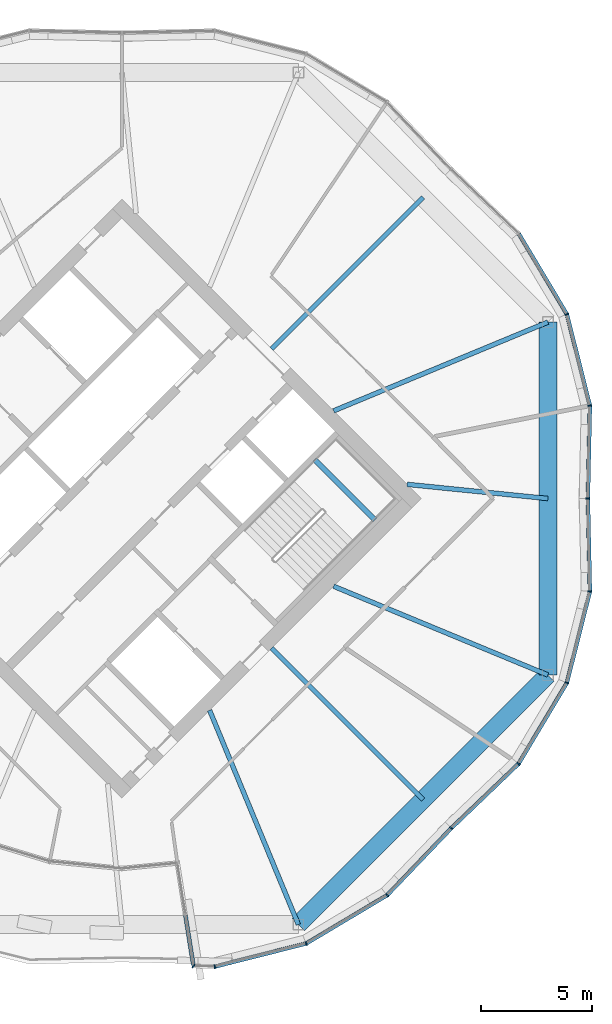
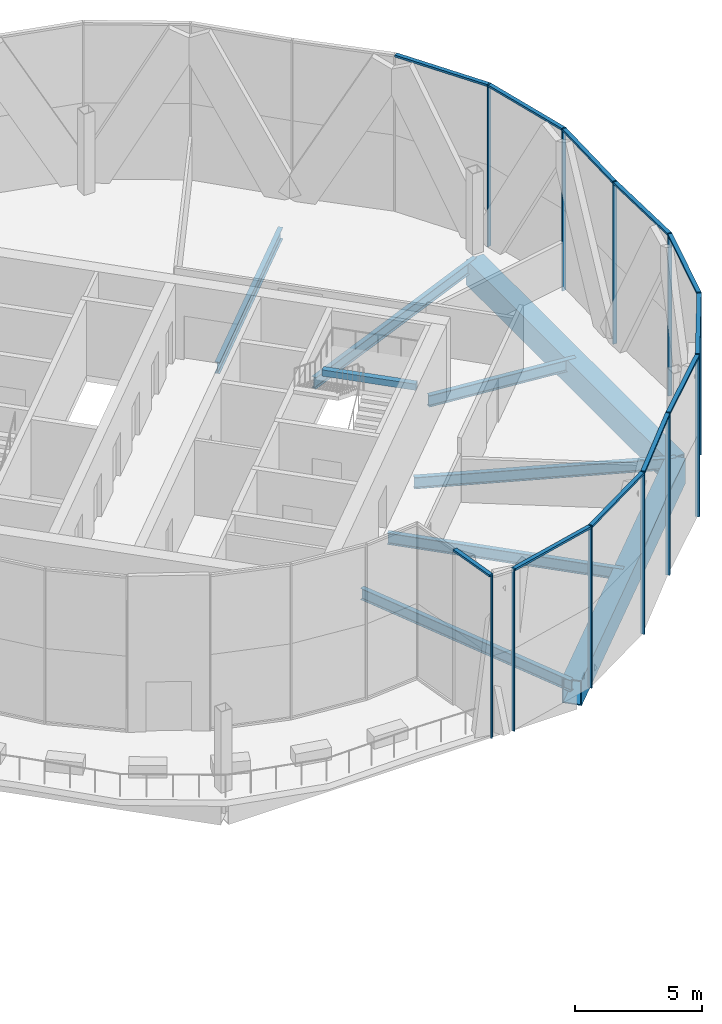
# One storey, part 12 of 26: 22 members, 9 beams, 3 elements without a shape of their own.
"""IFC4 building model written with IfcOpenShell, lengths in metres."""

from ifc_helpers import new_model, si_unit, direction, frame, origin, origin_2d, place, context, subcontext, project, spatial, rectangle, hollow_rectangle, i_section, extrude, material, material_profile, profile_set, type_object, element, aggregate, save


model = new_model("IFC4")

# Units and contexts
model_context = context("Model", 3, precision=1e-05, world=origin(), true_north=direction((0.0, 1.0)))
body_context = subcontext(model_context, "Body", "Model", "MODEL_VIEW")
ifc_project = project(units=[si_unit("LENGTHUNIT", "METRE"), si_unit("AREAUNIT", "SQUARE_METRE"), si_unit("VOLUMEUNIT", "CUBIC_METRE"), si_unit("PLANEANGLEUNIT", "RADIAN"), si_unit("MASSUNIT", "GRAM", prefix="KILO")], contexts=[model_context])

# Site, building, storey
site_placement = place(None, origin())
site = spatial("IfcSite", under=ifc_project, at=site_placement, CompositionType="ELEMENT")
building_placement = place(site_placement, origin())
building = spatial("IfcBuilding", under=site, at=building_placement, Name="Ogive Gate Towers", CompositionType="ELEMENT")
storey_placement = place(building_placement, frame((0.0, 0.0, 208.5)))
storey = spatial("IfcBuildingStorey", under=building, at=storey_placement, Name="L50", CompositionType="ELEMENT", Elevation=208.5)

# Beams
ifc_material_1 = material(Name="Steel SM460", Category="steel")
ifc_material_profile_1 = material_profile(ifc_material_1, hollow_rectangle(XDim=0.800048828125, YDim=1.199951171875, WallThickness=0.050048828125, at=origin_2d()), Name="BX 1200x800x50")
ifc_profile_set_1 = profile_set([ifc_material_profile_1], Name="Steel SM460")
beam_type_1 = type_object("IfcBeamType", Name="Edge girder BX 1200x800x50", PredefinedType="BEAM", material=ifc_profile_set_1)
beam_1_placement = place(storey_placement, frame((43.917724609375, -19.114990234375, -0.89990234375), z_axis=(0.707106781187, 0.707106781187, 0.0), x_axis=(-0.707106781187, 0.707106781187, 0.0)))
element("IfcBeam", 1, at=beam_1_placement, inside=storey, type_object=beam_type_1, Name="T2/L50/SBM019", PredefinedType="BEAM", context=body_context, shape_type="SweptSolid", body=[
    extrude(hollow_rectangle(XDim=0.800048828125, YDim=1.199951171875, WallThickness=0.050048828125, at=origin_2d()), origin(), (0.0, 0.0, 1.0), 15.835205078125),
])
beam_2_placement = place(storey_placement, frame((55.114990234375, -7.917724609375, -0.89990234375), z_axis=(0.0, 1.0, 0.0), x_axis=(-1.0, 0.0, 0.0)))
element("IfcBeam", 2, at=beam_2_placement, inside=storey, type_object=beam_type_1, Name="T2/L50/SBM020", PredefinedType="BEAM", context=body_context, shape_type="SweptSolid", body=[
    extrude(hollow_rectangle(XDim=0.800048828125, YDim=1.199951171875, WallThickness=0.050048828125, at=origin_2d()), origin(), (0.0, 0.0, 1.0), 15.83544921875),
])
ifc_material_2 = material(Name="Concrete C40/50", Category="concrete")
ifc_material_profile_2 = material_profile(ifc_material_2, rectangle(XDim=0.25, YDim=0.300048828125, at=origin_2d()), Name="RC 250x300")
ifc_profile_set_2 = profile_set([ifc_material_profile_2], Name="Concrete C40/50")
beam_type_2 = type_object("IfcBeamType", Name="Landing bearer RC 250x300", PredefinedType="BEAM", material=ifc_profile_set_2)
beam_3_placement = place(storey_placement, frame((47.349609375, -0.9541015625, 1.60009765625), z_axis=(-0.707106781187, 0.707106781187, 0.0), x_axis=(-0.707106781187, -0.707106781187, 0.0)))
element("IfcBeam", 3, at=beam_3_placement, inside=storey, type_object=beam_type_2, Name="T2 L50 stair 2 landing bearer 1", PredefinedType="BEAM", context=body_context, shape_type="SweptSolid", body=[
    extrude(rectangle(XDim=0.25, YDim=0.300048828125, at=origin_2d()), origin(), (0.0, 0.0, 1.0), 3.824951171875),
])
ifc_material_3 = material(Name="Steel SM355", Category="steel")
ifc_material_profile_3 = material_profile(ifc_material_3, i_section(OverallWidth=0.2099609375, OverallDepth=0.550048828125, WebThickness=0.010986328125, FlangeThickness=0.01708984375, FilletRadius=0.02392578125, at=origin_2d()), Name="IPE 550")
ifc_profile_set_3 = profile_set([ifc_material_profile_3], Name="Steel SM355")
beam_type_3 = type_object("IfcBeamType", Name="Radial floor beam IPE 550", PredefinedType="BEAM", material=ifc_profile_set_3)
beam_4_placement = place(storey_placement, frame((39.93505859375, -9.5, -0.574951171875), z_axis=(0.382683978464, -0.92387930631, 0.0), x_axis=(0.92387930631, 0.382683978464, 0.0)))
element("IfcBeam", 4, at=beam_4_placement, inside=storey, type_object=beam_type_3, Name="T2/L50/SBM005", PredefinedType="BEAM", context=body_context, shape_type="SweptSolid", body=[
    extrude(i_section(OverallWidth=0.2099609375, OverallDepth=0.550048828125, WebThickness=0.010986328125, FlangeThickness=0.01708984375, FilletRadius=0.02392578125, at=origin_2d()), origin(), (0.0, 0.0, 1.0), 10.4072265625),
])
beam_5_placement = place(storey_placement, frame((42.717529296875, -6.717529296875, -0.574951171875), z_axis=(0.707106781187, -0.707106781187, 0.0), x_axis=(0.707106781187, 0.707106781187, 0.0)))
element("IfcBeam", 5, at=beam_5_placement, inside=storey, type_object=beam_type_3, Name="T2/L50/SBM006", PredefinedType="BEAM", context=body_context, shape_type="SweptSolid", body=[
    extrude(i_section(OverallWidth=0.2099609375, OverallDepth=0.550048828125, WebThickness=0.010986328125, FlangeThickness=0.01708984375, FilletRadius=0.02392578125, at=origin_2d()), origin(), (0.0, 0.0, 1.0), 9.614990234375),
])
beam_6_placement = place(storey_placement, frame((45.5, -3.93505859375, -0.574951171875), z_axis=(0.92387930631, -0.382683978464, 0.0), x_axis=(0.382683978464, 0.92387930631, 0.0)))
element("IfcBeam", 6, at=beam_6_placement, inside=storey, type_object=beam_type_3, Name="T2/L50/SBM007", PredefinedType="BEAM", context=body_context, shape_type="SweptSolid", body=[
    extrude(i_section(OverallWidth=0.2099609375, OverallDepth=0.550048828125, WebThickness=0.010986328125, FlangeThickness=0.01708984375, FilletRadius=0.02392578125, at=origin_2d()), origin(), (0.0, 0.0, 1.0), 10.4072265625),
])
beam_7_placement = place(storey_placement, frame((48.798583984375, 0.636474609375, -0.574951171875), z_axis=(0.994961513499, -0.100257601488, 0.0), x_axis=(0.100257601488, 0.994961513499, 0.0)))
element("IfcBeam", 7, at=beam_7_placement, inside=storey, type_object=beam_type_3, Name="T2/L50/SBM008", PredefinedType="BEAM", context=body_context, shape_type="SweptSolid", body=[
    extrude(i_section(OverallWidth=0.2099609375, OverallDepth=0.550048828125, WebThickness=0.010986328125, FlangeThickness=0.01708984375, FilletRadius=0.02392578125, at=origin_2d()), origin(), (0.0, 0.0, 1.0), 6.348388671875),
])
beam_8_placement = place(storey_placement, frame((45.5, 3.93505859375, -0.574951171875), z_axis=(0.92387930631, 0.382683978464, 0.0), x_axis=(-0.382683978464, 0.92387930631, 0.0)))
element("IfcBeam", 8, at=beam_8_placement, inside=storey, type_object=beam_type_3, Name="T2/L50/SBM009", PredefinedType="BEAM", context=body_context, shape_type="SweptSolid", body=[
    extrude(i_section(OverallWidth=0.2099609375, OverallDepth=0.550048828125, WebThickness=0.010986328125, FlangeThickness=0.01708984375, FilletRadius=0.02392578125, at=origin_2d()), origin(), (0.0, 0.0, 1.0), 10.4072265625),
])
beam_9_placement = place(storey_placement, frame((42.717529296875, 6.717529296875, -0.574951171875), z_axis=(0.707106781187, 0.707106781187, 0.0), x_axis=(-0.707106781187, 0.707106781187, 0.0)))
element("IfcBeam", 9, at=beam_9_placement, inside=storey, type_object=beam_type_3, Name="T2/L50/SBM010", PredefinedType="BEAM", context=body_context, shape_type="SweptSolid", body=[
    extrude(i_section(OverallWidth=0.2099609375, OverallDepth=0.550048828125, WebThickness=0.010986328125, FlangeThickness=0.01708984375, FilletRadius=0.02392578125, at=origin_2d()), origin(), (0.0, 0.0, 1.0), 9.614990234375),
])

# Curtain wall, members
ifc_material_4 = material(Name="Pale metal aluminium", Category="aluminium")
curtain_wall_type = type_object("IfcCurtainWallType", Name="Tower unitised wall, high zone", PredefinedType="NOTDEFINED", material=ifc_material_4)
curtain_wall_1_placement = place(storey_placement, origin())
curtain_wall_1 = element("IfcCurtainWall", 10, at=curtain_wall_1_placement, inside=storey, type_object=curtain_wall_type, Name="CW2 T2 ECW04", PredefinedType="NOTDEFINED")
ifc_material_profile_4 = material_profile(ifc_material_4, rectangle(XDim=0.179931640625, YDim=0.06005859375, at=origin_2d()), Name="60 x 180 aluminium box")
ifc_profile_set_4 = profile_set([ifc_material_profile_4], Name="Pale metal aluminium")
member_type_1 = type_object("IfcMemberType", Name="Tower unitised wall, high zone mullion 60 x 180", PredefinedType="MULLION", material=ifc_profile_set_4)
member_1_placement = place(storey_placement, frame((55.966064453125, 8.270263671875, -0.300048828125), z_axis=(0.0, 0.0, 1.0), x_axis=(-0.923879532511, -0.382683432365, 0.0)))
member_1 = element("IfcMember", 11, at=member_1_placement, type_object=member_type_1, Name="CW2 mullion", PredefinedType="MULLION", context=body_context, shape_type="SweptSolid", body=[
    extrude(rectangle(XDim=0.179931640625, YDim=0.06005859375, at=origin_2d()), origin(), (0.0, 0.0, 1.0), 7.800048828125),
])
member_2_placement = place(storey_placement, frame((57.0009765625, 4.16796875, -0.300048828125), z_axis=(0.0, 0.0, 1.0), x_axis=(-0.993662420818, -0.112405486759, 0.0)))
member_2 = element("IfcMember", 12, at=member_2_placement, type_object=member_type_1, Name="CW2 mullion", PredefinedType="MULLION", context=body_context, shape_type="SweptSolid", body=[
    extrude(rectangle(XDim=0.179931640625, YDim=0.06005859375, at=origin_2d()), origin(), (0.0, 0.0, 1.0), 7.800048828125),
])
member_3_placement = place(storey_placement, frame((56.909912109375, -0.000244140625, -0.300048828125), z_axis=(0.0, 0.0, 1.0), x_axis=(-0.999761646186, 0.02183233417, 0.0)))
member_3 = element("IfcMember", 13, at=member_3_placement, type_object=member_type_1, Name="CW2 mullion", PredefinedType="MULLION", context=body_context, shape_type="SweptSolid", body=[
    extrude(rectangle(XDim=0.179931640625, YDim=0.06005859375, at=origin_2d()), origin(), (0.0, 0.0, 1.0), 7.800048828125),
])

curtain_wall_2_placement = place(storey_placement, origin())
curtain_wall_2 = element("IfcCurtainWall", 14, at=curtain_wall_2_placement, inside=storey, type_object=curtain_wall_type, Name="CW2 T2 ECW09", PredefinedType="NOTDEFINED")
member_4_placement = place(storey_placement, frame((50.78564453125, -14.785400390625, -0.300048828125), z_axis=(0.0, 0.0, 1.0), x_axis=(-0.722376031129, 0.691500448047, 0.0)))
member_4 = element("IfcMember", 15, at=member_4_placement, type_object=member_type_1, Name="CW2 mullion", PredefinedType="MULLION", context=body_context, shape_type="SweptSolid", body=[
    extrude(rectangle(XDim=0.179931640625, YDim=0.06005859375, at=origin_2d()), origin(), (0.0, 0.0, 1.0), 7.800048828125),
])
member_5_placement = place(storey_placement, frame((47.902587890625, -17.797119140625, -0.300048828125), z_axis=(0.0, 0.0, 1.0), x_axis=(-0.623156404308, 0.782097241889, 0.0)))
member_5 = element("IfcMember", 16, at=member_5_placement, type_object=member_type_1, Name="CW2 mullion", PredefinedType="MULLION", context=body_context, shape_type="SweptSolid", body=[
    extrude(rectangle(XDim=0.179931640625, YDim=0.06005859375, at=origin_2d()), origin(), (0.0, 0.0, 1.0), 7.800048828125),
])
member_6_placement = place(storey_placement, frame((44.270263671875, -19.966064453125, -0.300048828125), z_axis=(0.0, 0.0, 1.0), x_axis=(-0.382683432365, 0.923879532511, 0.0)))
member_6 = element("IfcMember", 17, at=member_6_placement, type_object=member_type_1, Name="CW2 mullion", PredefinedType="MULLION", context=body_context, shape_type="SweptSolid", body=[
    extrude(rectangle(XDim=0.179931640625, YDim=0.06005859375, at=origin_2d()), origin(), (0.0, 0.0, 1.0), 7.800048828125),
])
member_7_placement = place(storey_placement, frame((40.16796875, -21.0009765625, -0.300048828125), z_axis=(0.0, 0.0, 1.0), x_axis=(-0.112388144061, 0.993664382513, 0.0)))
member_7 = element("IfcMember", 18, at=member_7_placement, type_object=member_type_1, Name="CW2 mullion", PredefinedType="MULLION", context=body_context, shape_type="SweptSolid", body=[
    extrude(rectangle(XDim=0.179931640625, YDim=0.06005859375, at=origin_2d()), origin(), (0.0, 0.0, 1.0), 7.800048828125),
])
member_8_placement = place(storey_placement, frame((39.21337890625, -20.977783203125, -0.300048828125), z_axis=(0.0, 0.0, 1.0), x_axis=(0.657730281173, 0.753253527856, 0.0)))
member_8 = element("IfcMember", 19, at=member_8_placement, type_object=member_type_1, Name="CW2 mullion", PredefinedType="MULLION", context=body_context, shape_type="SweptSolid", body=[
    extrude(rectangle(XDim=0.179931640625, YDim=0.06005859375, at=origin_2d()), origin(), (0.0, 0.0, 1.0), 7.800048828125),
])

curtain_wall_3_placement = place(storey_placement, origin())
curtain_wall_3 = element("IfcCurtainWall", 20, at=curtain_wall_3_placement, inside=storey, type_object=curtain_wall_type, Name="CW2 T2 ECW10", PredefinedType="NOTDEFINED")
member_9_placement = place(storey_placement, frame((57.0009765625, -4.16796875, -0.300048828125), z_axis=(0.0, 0.0, 1.0), x_axis=(-0.993662420818, 0.112405486759, 0.0)))
member_9 = element("IfcMember", 21, at=member_9_placement, type_object=member_type_1, Name="CW2 mullion", PredefinedType="MULLION", context=body_context, shape_type="SweptSolid", body=[
    extrude(rectangle(XDim=0.179931640625, YDim=0.06005859375, at=origin_2d()), origin(), (0.0, 0.0, 1.0), 7.800048828125),
])
member_10_placement = place(storey_placement, frame((55.966064453125, -8.270263671875, -0.300048828125), z_axis=(0.0, 0.0, 1.0), x_axis=(-0.923879532511, 0.382683432365, 0.0)))
member_10 = element("IfcMember", 22, at=member_10_placement, type_object=member_type_1, Name="CW2 mullion", PredefinedType="MULLION", context=body_context, shape_type="SweptSolid", body=[
    extrude(rectangle(XDim=0.179931640625, YDim=0.06005859375, at=origin_2d()), origin(), (0.0, 0.0, 1.0), 7.800048828125),
])
member_11_placement = place(storey_placement, frame((53.797119140625, -11.902587890625, -0.300048828125), z_axis=(0.0, 0.0, 1.0), x_axis=(-0.782097241889, 0.623156404308, 0.0)))
member_11 = element("IfcMember", 23, at=member_11_placement, type_object=member_type_1, Name="CW2 mullion", PredefinedType="MULLION", context=body_context, shape_type="SweptSolid", body=[
    extrude(rectangle(XDim=0.179931640625, YDim=0.06005859375, at=origin_2d()), origin(), (0.0, 0.0, 1.0), 7.800048828125),
])

# Member
ifc_material_profile_5 = material_profile(ifc_material_4, rectangle(XDim=0.179931640625, YDim=0.10009765625, at=origin_2d()), Name="100 x 180 aluminium box")
ifc_profile_set_5 = profile_set([ifc_material_profile_5], Name="Pale metal aluminium")
member_type_2 = type_object("IfcMemberType", Name="Tower unitised wall, high zone transom 100 x 180", PredefinedType="USERDEFINED", material=ifc_profile_set_5)
member_12_placement = place(storey_placement, frame((53.813232421875, 11.8759765625, 7.449951171875), z_axis=(0.512651166914, -0.858596984075, 0.0), x_axis=(0.858596984075, 0.512651166914, 0.0)))
member_12 = element("IfcMember", 24, at=member_12_placement, type_object=member_type_2, Name="CW2 transom", ObjectType="TRANSOM", PredefinedType="USERDEFINED", context=body_context, shape_type="SweptSolid", body=[
    extrude(rectangle(XDim=0.179931640625, YDim=0.10009765625, at=origin_2d()), origin(), (0.0, 0.0, 1.0), 4.16796875),
])

member_13_placement = place(storey_placement, frame((55.973876953125, 8.23974609375, 7.449951171875), z_axis=(0.244602369594, -0.96962347372, 0.0), x_axis=(0.96962347372, 0.244602369594, 0.0)))
member_13 = element("IfcMember", 25, at=member_13_placement, type_object=member_type_2, Name="CW2 transom", ObjectType="TRANSOM", PredefinedType="USERDEFINED", context=body_context, shape_type="SweptSolid", body=[
    extrude(rectangle(XDim=0.179931640625, YDim=0.10009765625, at=origin_2d()), origin(), (0.0, 0.0, 1.0), 4.168212890625),
])

member_14_placement = place(storey_placement, frame((57.000244140625, 4.13671875, 7.449951171875), z_axis=(-0.021811478493, -0.999762101405, 0.0), x_axis=(0.999762101405, -0.021811478493, 0.0)))
member_14 = element("IfcMember", 26, at=member_14_placement, type_object=member_type_2, Name="CW2 transom", ObjectType="TRANSOM", PredefinedType="USERDEFINED", context=body_context, shape_type="SweptSolid", body=[
    extrude(rectangle(XDim=0.179931640625, YDim=0.10009765625, at=origin_2d()), origin(), (0.0, 0.0, 1.0), 4.10791015625),
])

aggregate(curtain_wall_1, [member_1, member_12, member_2, member_13, member_3, member_14])

member_15_placement = place(storey_placement, frame((50.764892578125, -14.80712890625, 7.449951171875), z_axis=(-0.691484402901, -0.722391390137, 0.0), x_axis=(0.722391390137, -0.691484402901, 0.0)))
member_15 = element("IfcMember", 27, at=member_15_placement, type_object=member_type_2, Name="CW2 transom", ObjectType="TRANSOM", PredefinedType="USERDEFINED", context=body_context, shape_type="SweptSolid", body=[
    extrude(rectangle(XDim=0.179931640625, YDim=0.10009765625, at=origin_2d()), origin(), (0.0, 0.0, 1.0), 4.107666015625),
])

member_16_placement = place(storey_placement, frame((47.8759765625, -17.813232421875, 7.449951171875), z_axis=(-0.858596984075, -0.512651166914, 0.0), x_axis=(0.512651166914, -0.858596984075, 0.0)))
member_16 = element("IfcMember", 28, at=member_16_placement, type_object=member_type_2, Name="CW2 transom", ObjectType="TRANSOM", PredefinedType="USERDEFINED", context=body_context, shape_type="SweptSolid", body=[
    extrude(rectangle(XDim=0.179931640625, YDim=0.10009765625, at=origin_2d()), origin(), (0.0, 0.0, 1.0), 4.16796875),
])

member_17_placement = place(storey_placement, frame((44.23974609375, -19.973876953125, 7.449951171875), z_axis=(-0.96962347372, -0.244602369594, 0.0), x_axis=(0.244602369594, -0.96962347372, 0.0)))
member_17 = element("IfcMember", 29, at=member_17_placement, type_object=member_type_2, Name="CW2 transom", ObjectType="TRANSOM", PredefinedType="USERDEFINED", context=body_context, shape_type="SweptSolid", body=[
    extrude(rectangle(XDim=0.179931640625, YDim=0.10009765625, at=origin_2d()), origin(), (0.0, 0.0, 1.0), 4.168212890625),
])

member_18_placement = place(storey_placement, frame((39.20556640625, -20.942138671875, 7.449951171875), z_axis=(-0.156392198058, 0.9876950341, 0.0), x_axis=(-0.9876950341, -0.156392198058, 0.0)))
member_18 = element("IfcMember", 30, at=member_18_placement, type_object=member_type_2, Name="CW2 transom", ObjectType="TRANSOM", PredefinedType="USERDEFINED", context=body_context, shape_type="SweptSolid", body=[
    extrude(rectangle(XDim=0.179931640625, YDim=0.10009765625, at=origin_2d()), origin(), (0.0, 0.0, 1.0), 2.276123046875),
])

aggregate(curtain_wall_2, [member_4, member_5, member_15, member_6, member_16, member_7, member_17, member_8, member_18])

member_19_placement = place(storey_placement, frame((56.91064453125, -0.02978515625, 7.449951171875), z_axis=(0.021811478493, -0.999762101405, 0.0), x_axis=(0.999762101405, 0.021811478493, 0.0)))
member_19 = element("IfcMember", 31, at=member_19_placement, type_object=member_type_2, Name="CW2 transom", ObjectType="TRANSOM", PredefinedType="USERDEFINED", context=body_context, shape_type="SweptSolid", body=[
    extrude(rectangle(XDim=0.179931640625, YDim=0.10009765625, at=origin_2d()), origin(), (0.0, 0.0, 1.0), 4.10791015625),
])

member_20_placement = place(storey_placement, frame((56.993408203125, -4.1982421875, 7.449951171875), z_axis=(-0.244602369594, -0.96962347372, 0.0), x_axis=(0.96962347372, -0.244602369594, 0.0)))
member_20 = element("IfcMember", 32, at=member_20_placement, type_object=member_type_2, Name="CW2 transom", ObjectType="TRANSOM", PredefinedType="USERDEFINED", context=body_context, shape_type="SweptSolid", body=[
    extrude(rectangle(XDim=0.179931640625, YDim=0.10009765625, at=origin_2d()), origin(), (0.0, 0.0, 1.0), 4.168212890625),
])

member_21_placement = place(storey_placement, frame((55.949951171875, -8.29736328125, 7.449951171875), z_axis=(-0.512651166914, -0.858596984075, 0.0), x_axis=(0.858596984075, -0.512651166914, 0.0)))
member_21 = element("IfcMember", 33, at=member_21_placement, type_object=member_type_2, Name="CW2 transom", ObjectType="TRANSOM", PredefinedType="USERDEFINED", context=body_context, shape_type="SweptSolid", body=[
    extrude(rectangle(XDim=0.179931640625, YDim=0.10009765625, at=origin_2d()), origin(), (0.0, 0.0, 1.0), 4.16796875),
])

member_22_placement = place(storey_placement, frame((53.7744140625, -11.924560546875, 7.449951171875), z_axis=(-0.722391390137, -0.691484402901, 0.0), x_axis=(0.691484402901, -0.722391390137, 0.0)))
member_22 = element("IfcMember", 34, at=member_22_placement, type_object=member_type_2, Name="CW2 transom", ObjectType="TRANSOM", PredefinedType="USERDEFINED", context=body_context, shape_type="SweptSolid", body=[
    extrude(rectangle(XDim=0.179931640625, YDim=0.10009765625, at=origin_2d()), origin(), (0.0, 0.0, 1.0), 4.107666015625),
])

aggregate(curtain_wall_3, [member_9, member_19, member_10, member_20, member_11, member_21, member_22])

save(model, "model.ifc")
